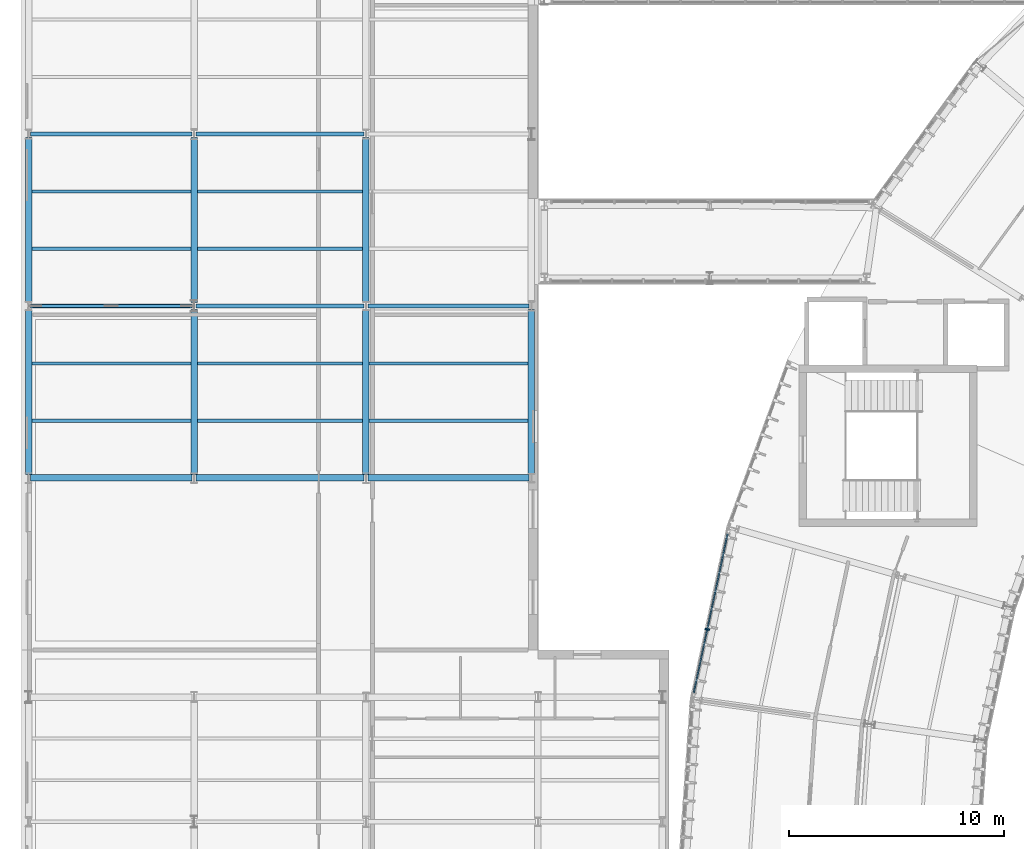
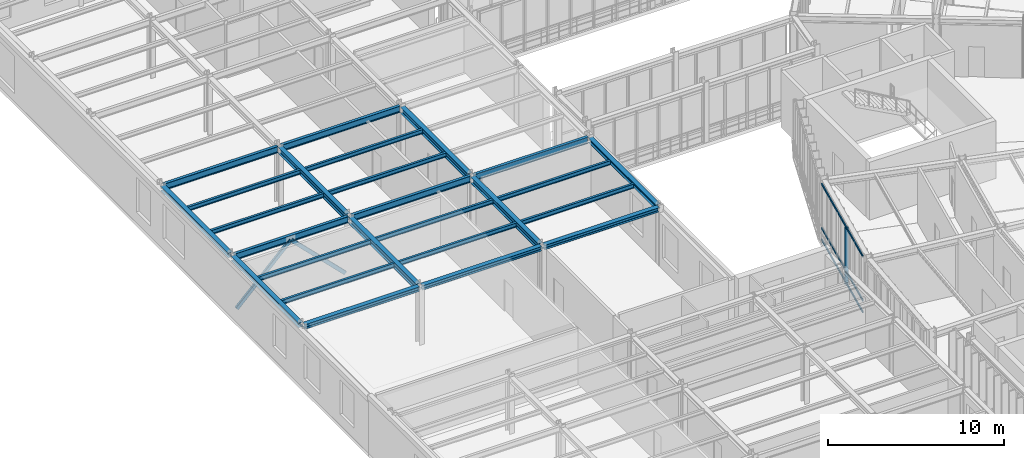
# One storey, part 12 of 57: 25 beams, 6 members, 1 element without a shape of its own.
"""IFC4 building model written with IfcOpenShell, lengths in metres."""

from ifc_helpers import new_model, si_unit, direction, frame, origin, origin_2d, place, context, subcontext, project, spatial, rectangle, hollow_rectangle, i_section, extrude, material, layer, layer_set, material_profile, profile_set, type_object, element, aggregate, save


model = new_model("IFC4")

# Units and contexts
model_context = context("Model", 3, precision=1e-05, world=origin(), true_north=direction((0.0, 1.0)))
body_context = subcontext(model_context, "Body", "Model", "MODEL_VIEW")
ifc_project = project(units=[si_unit("LENGTHUNIT", "METRE"), si_unit("AREAUNIT", "SQUARE_METRE"), si_unit("VOLUMEUNIT", "CUBIC_METRE"), si_unit("PLANEANGLEUNIT", "RADIAN"), si_unit("MASSUNIT", "GRAM", prefix="KILO"), si_unit("THERMODYNAMICTEMPERATUREUNIT", "KELVIN"), si_unit("POWERUNIT", "WATT")], contexts=[model_context])

# Site, building, storey
site_placement = place(None, origin())
site = spatial("IfcSite", under=ifc_project, at=site_placement, CompositionType="ELEMENT")
building_placement = place(site_placement, origin())
building = spatial("IfcBuilding", under=site, at=building_placement, Name="Solvatero Civic Police Headquarters", CompositionType="ELEMENT")
storey_placement = place(building_placement, frame((0.0, 0.0, 9.300048828125)))
storey = spatial("IfcBuildingStorey", under=building, at=storey_placement, Name="L02", CompositionType="ELEMENT", Elevation=9.300048828125)

# Beams
ifc_material_1 = material(Name="Steel S355", Category="steel")
ifc_material_profile_1 = material_profile(ifc_material_1, i_section(OverallWidth=0.300048828125, OverallDepth=0.31005859375, WebThickness=0.009033203125, FlangeThickness=0.015380859375, FilletRadius=0.027099609375, at=origin_2d()), Name="HEA 320")
ifc_profile_set_1 = profile_set([ifc_material_profile_1], Name="Steel S355")
beam_type_1 = type_object("IfcBeamType", Name="BM-ST-HEA320", PredefinedType="SPANDREL", material=ifc_profile_set_1)
beam_1_placement = place(storey_placement, frame((4.89990234375, 44.5, 3.844970703125), z_axis=(1.0, 0.0, 0.0), x_axis=(0.0, 1.0, 0.0)))
element("IfcBeam", 1, at=beam_1_placement, inside=storey, type_object=beam_type_1, Name="Perimeter / radial spandrel beam BM-R2-L02-V6-GX-1-1", PredefinedType="SPANDREL", context=body_context, shape_type="SweptSolid", body=[
    extrude(i_section(OverallWidth=0.300048828125, OverallDepth=0.31005859375, WebThickness=0.009033203125, FlangeThickness=0.015380859375, FilletRadius=0.027099609375, at=origin_2d()), origin(), (0.0, 0.0, 1.0), 7.5),
])
beam_2_placement = place(storey_placement, frame((12.60009765625, 44.5, 3.844970703125), z_axis=(1.0, 0.0, 0.0), x_axis=(0.0, 1.0, 0.0)))
element("IfcBeam", 2, at=beam_2_placement, inside=storey, type_object=beam_type_1, Name="Perimeter / radial spandrel beam BM-R2-L02-V6-GX-2-1", PredefinedType="SPANDREL", context=body_context, shape_type="SweptSolid", body=[
    extrude(i_section(OverallWidth=0.300048828125, OverallDepth=0.31005859375, WebThickness=0.009033203125, FlangeThickness=0.015380859375, FilletRadius=0.027099609375, at=origin_2d()), origin(), (0.0, 0.0, 1.0), 7.7998046875),
])
beam_3_placement = place(storey_placement, frame((20.60009765625, 44.5, 3.844970703125), z_axis=(1.0, 0.0, 0.0), x_axis=(0.0, 1.0, 0.0)))
element("IfcBeam", 3, at=beam_3_placement, inside=storey, type_object=beam_type_1, Name="Perimeter / radial spandrel beam BM-R2-L02-V6-GX-3-1", PredefinedType="SPANDREL", context=body_context, shape_type="SweptSolid", body=[
    extrude(i_section(OverallWidth=0.300048828125, OverallDepth=0.31005859375, WebThickness=0.009033203125, FlangeThickness=0.015380859375, FilletRadius=0.027099609375, at=origin_2d()), origin(), (0.0, 0.0, 1.0), 7.5),
])
for number, where, z_axis, x_axis, name in (
    (4, (4.800048828125, 44.659912109375, 3.844970703125), (0.0, 1.0, 0.0), (-1.0, 0.0, 0.0), "Perimeter / radial spandrel beam BM-R2-L02-V6-GY-1-1"),
    (5, (4.800048828125, 52.659912109375, 3.844970703125), (0.0, 1.0, 0.0), (-1.0, 0.0, 0.0), "Perimeter / radial spandrel beam BM-R2-L02-V6-GY-1-2"),
    (6, (28.199951171875, 44.659912109375, 3.844970703125), (0.0, 1.0, 0.0), (-1.0, 0.0, 0.0), "Perimeter / radial spandrel beam BM-R2-L02-V6-GY-4-1"),
):
    element("IfcBeam", number, at=place(storey_placement, frame(where, z_axis=z_axis, x_axis=x_axis)), inside=storey, type_object=beam_type_1, Name=name, PredefinedType="SPANDREL", context=body_context, shape_type="SweptSolid", body=[
        extrude(i_section(OverallWidth=0.300048828125, OverallDepth=0.31005859375, WebThickness=0.009033203125, FlangeThickness=0.015380859375, FilletRadius=0.027099609375, at=origin_2d()), origin(), (0.0, 0.0, 1.0), 7.68017578125),
    ])
ifc_material_profile_2 = material_profile(ifc_material_1, i_section(OverallWidth=0.300048828125, OverallDepth=0.43994140625, WebThickness=0.011474609375, FlangeThickness=0.02099609375, FilletRadius=0.027099609375, at=origin_2d()), Name="HEA 450")
ifc_profile_set_2 = profile_set([ifc_material_profile_2], Name="Steel S355")
beam_type_2 = type_object("IfcBeamType", Name="BM-ST-HEA450", PredefinedType="BEAM", material=ifc_profile_set_2)
for number, where, z_axis, x_axis, name in (
    (7, (12.5, 44.659912109375, 3.780029296875), (0.0, 1.0, 0.0), (-1.0, 0.0, 0.0), "Primary girder BM-R2-L02-V6-GY-2-1"),
    (8, (12.5, 52.659912109375, 3.780029296875), (0.0, 1.0, 0.0), (-1.0, 0.0, 0.0), "Primary girder BM-R2-L02-V6-GY-2-2"),
    (9, (20.5, 44.659912109375, 3.780029296875), (0.0, 1.0, 0.0), (-1.0, 0.0, 0.0), "Primary girder BM-R2-L02-V6-GY-3-1"),
    (10, (20.5, 52.659912109375, 3.780029296875), (0.0, 1.0, 0.0), (-1.0, 0.0, 0.0), "Primary girder BM-R2-L02-V6-GY-3-2"),
):
    element("IfcBeam", number, at=place(storey_placement, frame(where, z_axis=z_axis, x_axis=x_axis)), inside=storey, type_object=beam_type_2, Name=name, PredefinedType="BEAM", context=body_context, shape_type="SweptSolid", body=[
        extrude(i_section(OverallWidth=0.300048828125, OverallDepth=0.43994140625, WebThickness=0.011474609375, FlangeThickness=0.02099609375, FilletRadius=0.027099609375, at=origin_2d()), origin(), (0.0, 0.0, 1.0), 7.68017578125),
    ])
ifc_material_profile_3 = material_profile(ifc_material_1, i_section(OverallWidth=0.14990234375, OverallDepth=0.300048828125, WebThickness=0.007080078125, FlangeThickness=0.0107421875, FilletRadius=0.014892578125, at=origin_2d()), Name="IPE 300")
ifc_profile_set_3 = profile_set([ifc_material_profile_3], Name="Steel S355")
beam_type_3 = type_object("IfcBeamType", Name="BM-ST-IPE300", PredefinedType="BEAM", material=ifc_profile_set_3)
for number, where, z_axis, x_axis, name in (
    (11, (4.949951171875, 47.166748046875, 3.849853515625), (1.0, 0.0, 0.0), (0.0, 1.0, 0.0), "Composite floor beam BM-R2-L02-V6-SEC-1-1-S1"),
    (12, (4.949951171875, 49.833251953125, 3.849853515625), (1.0, 0.0, 0.0), (0.0, 1.0, 0.0), "Composite floor beam BM-R2-L02-V6-SEC-1-1-S2"),
    (13, (4.949951171875, 55.166748046875, 3.849853515625), (1.0, 0.0, 0.0), (0.0, 1.0, 0.0), "Composite floor beam BM-R2-L02-V6-SEC-1-2-S1"),
    (14, (4.949951171875, 57.833251953125, 3.849853515625), (1.0, 0.0, 0.0), (0.0, 1.0, 0.0), "Composite floor beam BM-R2-L02-V6-SEC-1-2-S2"),
):
    element("IfcBeam", number, at=place(storey_placement, frame(where, z_axis=z_axis, x_axis=x_axis)), inside=storey, type_object=beam_type_3, Name=name, PredefinedType="BEAM", context=body_context, shape_type="SweptSolid", body=[
        extrude(i_section(OverallWidth=0.14990234375, OverallDepth=0.300048828125, WebThickness=0.007080078125, FlangeThickness=0.0107421875, FilletRadius=0.014892578125, at=origin_2d()), origin(), (0.0, 0.0, 1.0), 7.400146484375),
    ])
for number, where, z_axis, x_axis, name in (
    (15, (12.64990234375, 47.166748046875, 3.849853515625), (1.0, 0.0, 0.0), (0.0, 1.0, 0.0), "Composite floor beam BM-R2-L02-V6-SEC-2-1-S1"),
    (16, (12.64990234375, 49.833251953125, 3.849853515625), (1.0, 0.0, 0.0), (0.0, 1.0, 0.0), "Composite floor beam BM-R2-L02-V6-SEC-2-1-S2"),
    (17, (12.64990234375, 55.166748046875, 3.849853515625), (1.0, 0.0, 0.0), (0.0, 1.0, 0.0), "Composite floor beam BM-R2-L02-V6-SEC-2-2-S1"),
    (18, (12.64990234375, 57.833251953125, 3.849853515625), (1.0, 0.0, 0.0), (0.0, 1.0, 0.0), "Composite floor beam BM-R2-L02-V6-SEC-2-2-S2"),
):
    element("IfcBeam", number, at=place(storey_placement, frame(where, z_axis=z_axis, x_axis=x_axis)), inside=storey, type_object=beam_type_3, Name=name, PredefinedType="BEAM", context=body_context, shape_type="SweptSolid", body=[
        extrude(i_section(OverallWidth=0.14990234375, OverallDepth=0.300048828125, WebThickness=0.007080078125, FlangeThickness=0.0107421875, FilletRadius=0.014892578125, at=origin_2d()), origin(), (0.0, 0.0, 1.0), 7.7001953125),
    ])
for number, where, z_axis, x_axis, name in (
    (19, (20.64990234375, 47.166748046875, 3.849853515625), (1.0, 0.0, 0.0), (0.0, 1.0, 0.0), "Composite floor beam BM-R2-L02-V6-SEC-3-1-S1"),
    (20, (20.64990234375, 49.833251953125, 3.849853515625), (1.0, 0.0, 0.0), (0.0, 1.0, 0.0), "Composite floor beam BM-R2-L02-V6-SEC-3-1-S2"),
):
    element("IfcBeam", number, at=place(storey_placement, frame(where, z_axis=z_axis, x_axis=x_axis)), inside=storey, type_object=beam_type_3, Name=name, PredefinedType="BEAM", context=body_context, shape_type="SweptSolid", body=[
        extrude(i_section(OverallWidth=0.14990234375, OverallDepth=0.300048828125, WebThickness=0.007080078125, FlangeThickness=0.0107421875, FilletRadius=0.014892578125, at=origin_2d()), origin(), (0.0, 0.0, 1.0), 7.400146484375),
    ])
ifc_material_profile_4 = material_profile(ifc_material_1, i_section(OverallWidth=0.18994140625, OverallDepth=0.449951171875, WebThickness=0.009521484375, FlangeThickness=0.0146484375, FilletRadius=0.02099609375, at=origin_2d()), Name="IPE 450")
ifc_profile_set_4 = profile_set([ifc_material_profile_4], Name="Steel S355")
beam_type_4 = type_object("IfcBeamType", Name="BM-ST-IPE450", PredefinedType="BEAM", material=ifc_profile_set_4)
beam_4_placement = place(storey_placement, frame((4.89990234375, 52.5, 3.77490234375), z_axis=(1.0, 0.0, 0.0), x_axis=(0.0, 1.0, 0.0)))
element("IfcBeam", 21, at=beam_4_placement, inside=storey, type_object=beam_type_4, Name="Primary girder BM-R2-L02-V6-GX-1-2", PredefinedType="BEAM", context=body_context, shape_type="SweptSolid", body=[
    extrude(i_section(OverallWidth=0.18994140625, OverallDepth=0.449951171875, WebThickness=0.009521484375, FlangeThickness=0.0146484375, FilletRadius=0.02099609375, at=origin_2d()), origin(), (0.0, 0.0, 1.0), 7.5),
])
beam_5_placement = place(storey_placement, frame((12.60009765625, 52.5, 3.77490234375), z_axis=(1.0, 0.0, 0.0), x_axis=(0.0, 1.0, 0.0)))
element("IfcBeam", 22, at=beam_5_placement, inside=storey, type_object=beam_type_4, Name="Primary girder BM-R2-L02-V6-GX-2-2", PredefinedType="BEAM", context=body_context, shape_type="SweptSolid", body=[
    extrude(i_section(OverallWidth=0.18994140625, OverallDepth=0.449951171875, WebThickness=0.009521484375, FlangeThickness=0.0146484375, FilletRadius=0.02099609375, at=origin_2d()), origin(), (0.0, 0.0, 1.0), 7.7998046875),
])
for number, where, z_axis, x_axis, name in (
    (23, (20.60009765625, 52.5, 3.77490234375), (1.0, 0.0, 0.0), (0.0, 1.0, 0.0), "Primary girder BM-R2-L02-V6-GX-3-2"),
    (24, (4.89990234375, 60.5, 3.77490234375), (1.0, 0.0, 0.0), (0.0, 1.0, 0.0), "Primary girder BM-R2-L02-V6-GX-1-3"),
):
    element("IfcBeam", number, at=place(storey_placement, frame(where, z_axis=z_axis, x_axis=x_axis)), inside=storey, type_object=beam_type_4, Name=name, PredefinedType="BEAM", context=body_context, shape_type="SweptSolid", body=[
        extrude(i_section(OverallWidth=0.18994140625, OverallDepth=0.449951171875, WebThickness=0.009521484375, FlangeThickness=0.0146484375, FilletRadius=0.02099609375, at=origin_2d()), origin(), (0.0, 0.0, 1.0), 7.5),
    ])
beam_6_placement = place(storey_placement, frame((12.60009765625, 60.5, 3.77490234375), z_axis=(1.0, 0.0, 0.0), x_axis=(0.0, 1.0, 0.0)))
element("IfcBeam", 25, at=beam_6_placement, inside=storey, type_object=beam_type_4, Name="Primary girder BM-R2-L02-V6-GX-2-3", PredefinedType="BEAM", context=body_context, shape_type="SweptSolid", body=[
    extrude(i_section(OverallWidth=0.18994140625, OverallDepth=0.449951171875, WebThickness=0.009521484375, FlangeThickness=0.0146484375, FilletRadius=0.02099609375, at=origin_2d()), origin(), (0.0, 0.0, 1.0), 7.7998046875),
])

# Curtain wall, members
ifc_material_2 = material(Name="Anodized Bronze Aluminium", Category="aluminium")
ifc_layer = layer(ifc_material_2, 0.179931640625)
ifc_layer_set = layer_set([ifc_layer], Name="Anodized Bronze Aluminium")
curtain_wall_type = type_object("IfcCurtainWallType", Name="CW-ARC-OUT", PredefinedType="USERDEFINED", material=ifc_layer_set)
curtain_wall_placement = place(storey_placement, origin())
curtain_wall = element("IfcCurtainWall", 26, at=curtain_wall_placement, inside=storey, type_object=curtain_wall_type, Name="Curtain Wall CW-R2-L02-ARC-OUT-B11", ObjectType="UNITISED", PredefinedType="USERDEFINED")
ifc_material_profile_5 = material_profile(ifc_material_2, rectangle(XDim=0.074951171875, YDim=0.219970703125, at=origin_2d()), Name="ALU MULLION 75x220")
ifc_profile_set_5 = profile_set([ifc_material_profile_5], Name="Anodized Bronze Aluminium")
member_type_1 = type_object("IfcMemberType", Name="CWM-250x85", PredefinedType="MULLION", material=ifc_profile_set_5)
member_1_placement = place(storey_placement, frame((36.385498046875, 37.452880859375, 0.0), z_axis=(0.0, 0.0, 1.0), x_axis=(-0.207911690818, -0.978147600734, 0.0)))
member_1 = element("IfcMember", 27, at=member_1_placement, type_object=member_type_1, Name="CW-R2-L02-ARC-OUT-B11 Mullion 4", PredefinedType="MULLION", context=body_context, shape_type="SweptSolid", body=[
    extrude(rectangle(XDim=0.074951171875, YDim=0.219970703125, at=origin_2d()), origin(), (0.0, 0.0, 1.0), 3.93994140625),
])
ifc_material_profile_6 = material_profile(ifc_material_2, rectangle(XDim=0.06494140625, YDim=0.139892578125, at=origin_2d()), Name="ALU TRANSOM 65x140")
ifc_profile_set_6 = profile_set([ifc_material_profile_6], Name="Anodized Bronze Aluminium")
member_type_2 = type_object("IfcMemberType", Name="CWT-180x70", PredefinedType="USERDEFINED", material=ifc_profile_set_6)
member_2_placement = place(storey_placement, frame((37.3291015625, 41.89208984375, 0.0400390625), z_axis=(-0.207896282244, -0.9781508758, 0.0), x_axis=(0.9781508758, -0.207896282244, 0.0)))
member_2 = element("IfcMember", 28, at=member_2_placement, type_object=member_type_2, Name="CW-R2-L02-ARC-OUT-B11 Transom 1", ObjectType="TRANSOM", PredefinedType="USERDEFINED", context=body_context, shape_type="SweptSolid", body=[
    extrude(rectangle(XDim=0.06494140625, YDim=0.139892578125, at=origin_2d()), origin(), (0.0, 0.0, 1.0), 7.54736328125),
])
member_3_placement = place(storey_placement, frame((37.3291015625, 41.89208984375, 0.849853515625), z_axis=(-0.207896282244, -0.9781508758, 0.0), x_axis=(0.9781508758, -0.207896282244, 0.0)))
member_3 = element("IfcMember", 29, at=member_3_placement, type_object=member_type_2, Name="CW-R2-L02-ARC-OUT-B11 Transom 2", ObjectType="TRANSOM", PredefinedType="USERDEFINED", context=body_context, shape_type="SweptSolid", body=[
    extrude(rectangle(XDim=0.06494140625, YDim=0.139892578125, at=origin_2d()), origin(), (0.0, 0.0, 1.0), 7.54736328125),
])
member_4_placement = place(storey_placement, frame((37.3291015625, 41.89208984375, 3.89990234375), z_axis=(-0.207896282244, -0.9781508758, 0.0), x_axis=(0.9781508758, -0.207896282244, 0.0)))
member_4 = element("IfcMember", 30, at=member_4_placement, type_object=member_type_2, Name="CW-R2-L02-ARC-OUT-B11 Transom 3", ObjectType="TRANSOM", PredefinedType="USERDEFINED", context=body_context, shape_type="SweptSolid", body=[
    extrude(rectangle(XDim=0.06494140625, YDim=0.139892578125, at=origin_2d()), origin(), (0.0, 0.0, 1.0), 7.54736328125),
])
aggregate(curtain_wall, [member_1, member_2, member_3, member_4])

# Members
ifc_material_profile_7 = material_profile(ifc_material_1, hollow_rectangle(XDim=0.14990234375, YDim=0.25, WallThickness=0.010009765625, InnerFilletRadius=0.010009765625, OuterFilletRadius=0.02001953125, at=origin_2d()), Name="RHS 250x150x10.0")
ifc_profile_set_7 = profile_set([ifc_material_profile_7], Name="Steel S355")
member_type_3 = type_object("IfcMemberType", Name="MB-BR-RHS250", PredefinedType="BRACE", material=ifc_profile_set_7)
member_5_placement = place(storey_placement, frame((5.10009765625, 52.5, 0.119873046875), z_axis=(0.709079105582, 0.0, 0.705128940001), x_axis=(0.0, 1.0, 0.0)))
element("IfcMember", 31, at=member_5_placement, inside=storey, type_object=member_type_3, Name="Chevron Brace BR-V6-INT1 Left L02", PredefinedType="BRACE", context=body_context, shape_type="SweptSolid", body=[
    extrude(hollow_rectangle(XDim=0.14990234375, YDim=0.25, WallThickness=0.010009765625, InnerFilletRadius=0.010009765625, OuterFilletRadius=0.02001953125, at=origin_2d()), origin(), (0.0, 0.0, 1.0), 5.006103515625),
])
member_6_placement = place(storey_placement, frame((12.199951171875, 52.5, 0.119873046875), z_axis=(-0.709103351846, 0.0, 0.705104557069), x_axis=(0.0, -1.0, 0.0)))
element("IfcMember", 32, at=member_6_placement, inside=storey, type_object=member_type_3, Name="Chevron Brace BR-V6-INT1 Right L02", PredefinedType="BRACE", context=body_context, shape_type="SweptSolid", body=[
    extrude(hollow_rectangle(XDim=0.14990234375, YDim=0.25, WallThickness=0.010009765625, InnerFilletRadius=0.010009765625, OuterFilletRadius=0.02001953125, at=origin_2d()), origin(), (0.0, 0.0, 1.0), 5.00634765625),
])

save(model, "model.ifc")
